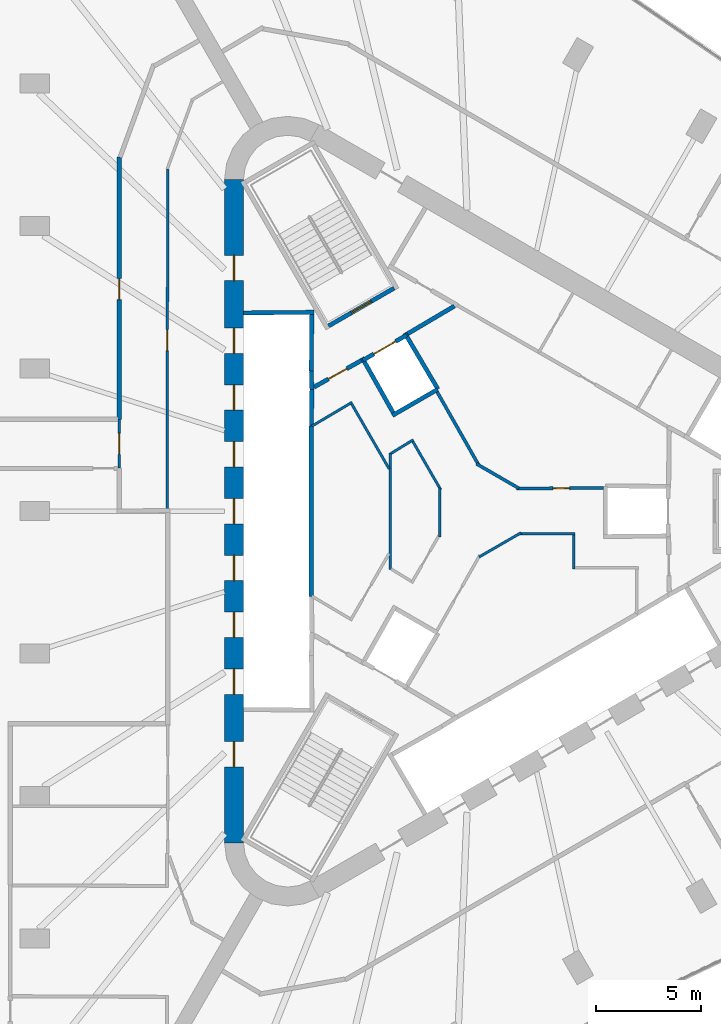
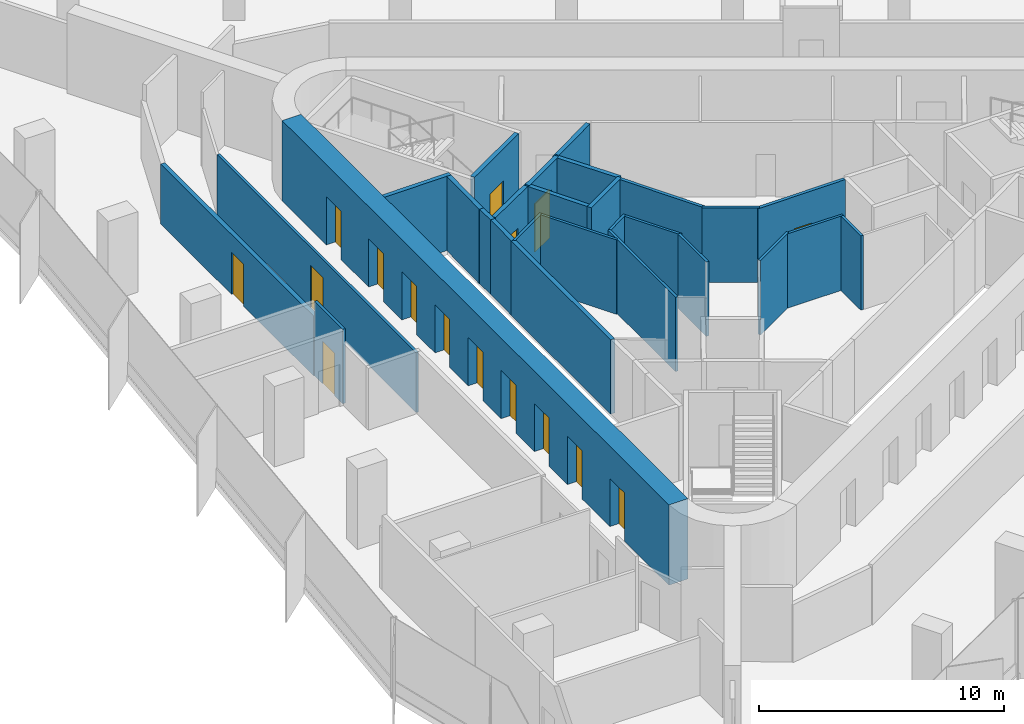
# One storey, part 10 of 13: 28 walls, 16 doors, 16 openings.
"""IFC4 building model written with IfcOpenShell, lengths in metres."""

from ifc_helpers import new_model, si_unit, direction, frame, frame_2d, origin, place, context, subcontext, project, spatial, rectangle, extrude, material, layer, layer_set, type_object, element, fill, save


model = new_model("IFC4")

# Units and contexts
model_context = context("Model", 3, precision=1e-05, world=origin(), true_north=direction((0.0, 1.0)))
body_context = subcontext(model_context, "Body", "Model", "MODEL_VIEW")
ifc_project = project(units=[si_unit("LENGTHUNIT", "METRE"), si_unit("AREAUNIT", "SQUARE_METRE"), si_unit("VOLUMEUNIT", "CUBIC_METRE"), si_unit("PLANEANGLEUNIT", "RADIAN"), si_unit("MASSUNIT", "GRAM", prefix="KILO")], contexts=[model_context])

# Site, building, storey
site_placement = place(None, origin())
site = spatial("IfcSite", under=ifc_project, at=site_placement, CompositionType="ELEMENT")
building_placement = place(site_placement, origin())
building = spatial("IfcBuilding", under=site, at=building_placement, Name="Tanit Gate Tower", CompositionType="ELEMENT")
storey_placement = place(building_placement, frame((0.0, 0.0, 265.199951171875)))
storey = spatial("IfcBuildingStorey", under=building, at=storey_placement, Name="L60", CompositionType="ELEMENT", Elevation=265.199951171875)

# Wall, openings, doors
ifc_material_1 = material(Name="Concrete C50/60", Category="concrete")
ifc_layer_1 = layer(ifc_material_1, 0.89990234375)
ifc_layer_set_1 = layer_set([ifc_layer_1], Name="CORE WALL 900 C50/60")
wall_type_1 = type_object("IfcWallType", Name="CORE WALL 900 C50/60", PredefinedType="SHEAR", material=ifc_layer_set_1)
wall_1_placement = place(storey_placement, frame((-11.64990234375, 15.76171875, 0.0), z_axis=(0.0, 0.0, 1.0), x_axis=(0.0, -1.0, 0.0)))
wall_1 = element("IfcWall", 1, at=wall_1_placement, inside=storey, type_object=wall_type_1, Name="CORE WALL", PredefinedType="SHEAR", context=body_context, shape_type="SweptSolid", body=[
    extrude(rectangle(XDim=31.5234375, YDim=0.89990234375, at=frame_2d((15.76171875, 0.0))), origin(), (0.0, 0.0, 1.0), 4.0),
])
opening_1_placement = place(wall_1_placement, frame((7.061767578125, 0.0, 0.0)))
opening_1 = element("IfcOpeningElement", 2, at=opening_1_placement, cuts=wall_1, Name="Opening LDML1-S17", PredefinedType="OPENING", context=body_context, shape_type="SweptSolid", body=[
    extrude(rectangle(XDim=1.199951171875, YDim=2.39990234375, at=frame_2d((0.60009765625, 1.199951171875))), frame((0.0, 0.4599609375, 0.0), z_axis=(0.0, -1.0, 0.0), x_axis=(1.0, 0.0, 0.0)), (0.0, 0.0, 1.0), 0.919921875),
])
opening_2_placement = place(wall_1_placement, frame((9.76171875, 0.0, 0.0)))
opening_2 = element("IfcOpeningElement", 3, at=opening_2_placement, cuts=wall_1, Name="Opening LDML2-S17", PredefinedType="OPENING", context=body_context, shape_type="SweptSolid", body=[
    extrude(rectangle(XDim=1.199951171875, YDim=2.39990234375, at=frame_2d((0.60009765625, 1.199951171875))), frame((0.0, 0.4599609375, 0.0), z_axis=(0.0, -1.0, 0.0), x_axis=(1.0, 0.0, 0.0)), (0.0, 0.0, 1.0), 0.919921875),
])
opening_3_placement = place(wall_1_placement, frame((12.461669921875, 0.0, 0.0)))
opening_3 = element("IfcOpeningElement", 4, at=opening_3_placement, cuts=wall_1, Name="Opening LDML3-S17", PredefinedType="OPENING", context=body_context, shape_type="SweptSolid", body=[
    extrude(rectangle(XDim=1.199951171875, YDim=2.39990234375, at=frame_2d((0.60009765625, 1.199951171875))), frame((0.0, 0.4599609375, 0.0), z_axis=(0.0, -1.0, 0.0), x_axis=(1.0, 0.0, 0.0)), (0.0, 0.0, 1.0), 0.919921875),
])
opening_4_placement = place(wall_1_placement, frame((15.16162109375, 0.0, 0.0)))
opening_4 = element("IfcOpeningElement", 5, at=opening_4_placement, cuts=wall_1, Name="Opening LDML4-S17", PredefinedType="OPENING", context=body_context, shape_type="SweptSolid", body=[
    extrude(rectangle(XDim=1.199951171875, YDim=2.39990234375, at=frame_2d((0.60009765625, 1.199951171875))), frame((0.0, 0.4599609375, 0.0), z_axis=(0.0, -1.0, 0.0), x_axis=(1.0, 0.0, 0.0)), (0.0, 0.0, 1.0), 0.919921875),
])
opening_5_placement = place(wall_1_placement, frame((17.86181640625, 0.0, 0.0)))
opening_5 = element("IfcOpeningElement", 6, at=opening_5_placement, cuts=wall_1, Name="Opening LDML5-S17", PredefinedType="OPENING", context=body_context, shape_type="SweptSolid", body=[
    extrude(rectangle(XDim=1.199951171875, YDim=2.39990234375, at=frame_2d((0.60009765625, 1.199951171875))), frame((0.0, 0.4599609375, 0.0), z_axis=(0.0, -1.0, 0.0), x_axis=(1.0, 0.0, 0.0)), (0.0, 0.0, 1.0), 0.919921875),
])
opening_6_placement = place(wall_1_placement, frame((20.561767578125, 0.0, 0.0)))
opening_6 = element("IfcOpeningElement", 7, at=opening_6_placement, cuts=wall_1, Name="Opening LDML6-S17", PredefinedType="OPENING", context=body_context, shape_type="SweptSolid", body=[
    extrude(rectangle(XDim=1.199951171875, YDim=2.39990234375, at=frame_2d((0.60009765625, 1.199951171875))), frame((0.0, 0.4599609375, 0.0), z_axis=(0.0, -1.0, 0.0), x_axis=(1.0, 0.0, 0.0)), (0.0, 0.0, 1.0), 0.919921875),
])
opening_7_placement = place(wall_1_placement, frame((23.26171875, 0.0, 0.0)))
opening_7 = element("IfcOpeningElement", 8, at=opening_7_placement, cuts=wall_1, Name="Opening LDML7-S17", PredefinedType="OPENING", context=body_context, shape_type="SweptSolid", body=[
    extrude(rectangle(XDim=1.199951171875, YDim=2.39990234375, at=frame_2d((0.60009765625, 1.199951171875))), frame((0.0, 0.4599609375, 0.0), z_axis=(0.0, -1.0, 0.0), x_axis=(1.0, 0.0, 0.0)), (0.0, 0.0, 1.0), 0.919921875),
])
opening_8_placement = place(wall_1_placement, frame((3.61181640625, 0.0, 0.0)))
opening_8 = element("IfcOpeningElement", 9, at=opening_8_placement, cuts=wall_1, Name="Opening F12-S17-FL2", PredefinedType="OPENING", context=body_context, shape_type="SweptSolid", body=[
    extrude(rectangle(XDim=1.199951171875, YDim=2.39990234375, at=frame_2d((0.60009765625, 1.199951171875))), frame((0.0, 0.4599609375, 0.0), z_axis=(0.0, -1.0, 0.0), x_axis=(1.0, 0.0, 0.0)), (0.0, 0.0, 1.0), 0.919921875),
])
opening_9_placement = place(wall_1_placement, frame((26.711669921875, 0.0, 0.0)))
opening_9 = element("IfcOpeningElement", 10, at=opening_9_placement, cuts=wall_1, Name="Opening F12-S17-S3", PredefinedType="OPENING", context=body_context, shape_type="SweptSolid", body=[
    extrude(rectangle(XDim=1.199951171875, YDim=2.39990234375, at=frame_2d((0.60009765625, 1.199951171875))), frame((0.0, 0.4599609375, 0.0), z_axis=(0.0, -1.0, 0.0), x_axis=(1.0, 0.0, 0.0)), (0.0, 0.0, 1.0), 0.919921875),
])
ifc_material_2 = material(Name="Fire-rated steel door leaf", Category="steel")
door_type_1 = type_object("IfcDoorType", Name="INT-DOOR-FIRE-LOBBY-1200", OperationType="NOTDEFINED", PredefinedType="USERDEFINED", material=ifc_material_2)
door_1_placement = place(opening_8_placement, origin())
door_1 = element("IfcDoor", 11, at=door_1_placement, inside=storey, type_object=door_type_1, Name="Door F12-S17-FL2", ObjectType="FIRE DOOR", OperationType="SINGLE_SWING_RIGHT", OverallHeight=2.39990234375, OverallWidth=1.199951171875, PredefinedType="USERDEFINED", context=body_context, shape_type="SweptSolid", body=[
    extrude(rectangle(XDim=1.199951171875, YDim=2.39990234375, at=frame_2d((0.60009765625, 1.199951171875))), frame((0.0, 0.02490234375, 0.0), z_axis=(0.0, -1.0, 0.0), x_axis=(1.0, 0.0, 0.0)), (0.0, 0.0, 1.0), 0.050048828125),
])
fill(opening_8, door_1)
door_2_placement = place(opening_9_placement, origin())
door_2 = element("IfcDoor", 12, at=door_2_placement, inside=storey, type_object=door_type_1, Name="Door F12-S17-S3", ObjectType="FIRE DOOR", OperationType="SINGLE_SWING_RIGHT", OverallHeight=2.39990234375, OverallWidth=1.199951171875, PredefinedType="USERDEFINED", context=body_context, shape_type="SweptSolid", body=[
    extrude(rectangle(XDim=1.199951171875, YDim=2.39990234375, at=frame_2d((0.60009765625, 1.199951171875))), frame((0.0, 0.02490234375, 0.0), z_axis=(0.0, -1.0, 0.0), x_axis=(1.0, 0.0, 0.0)), (0.0, 0.0, 1.0), 0.050048828125),
])
fill(opening_9, door_2)
ifc_material_3 = material(Name="Stainless steel sliding door leaf", Category="steel")
door_type_2 = type_object("IfcDoorType", Name="INT-DOOR-LANDING-1200", OperationType="NOTDEFINED", PredefinedType="USERDEFINED", material=ifc_material_3)
door_3_placement = place(opening_1_placement, origin())
door_3 = element("IfcDoor", 13, at=door_3_placement, inside=storey, type_object=door_type_2, Name="Door LDML1-S17", ObjectType="LANDING DOOR", OperationType="SLIDING_TO_LEFT", OverallHeight=2.39990234375, OverallWidth=1.199951171875, PredefinedType="USERDEFINED", context=body_context, shape_type="SweptSolid", body=[
    extrude(rectangle(XDim=1.199951171875, YDim=2.39990234375, at=frame_2d((0.60009765625, 1.199951171875))), frame((0.0, 0.02490234375, 0.0), z_axis=(0.0, -1.0, 0.0), x_axis=(1.0, 0.0, 0.0)), (0.0, 0.0, 1.0), 0.050048828125),
])
fill(opening_1, door_3)
door_4_placement = place(opening_2_placement, origin())
door_4 = element("IfcDoor", 14, at=door_4_placement, inside=storey, type_object=door_type_2, Name="Door LDML2-S17", ObjectType="LANDING DOOR", OperationType="SLIDING_TO_LEFT", OverallHeight=2.39990234375, OverallWidth=1.199951171875, PredefinedType="USERDEFINED", context=body_context, shape_type="SweptSolid", body=[
    extrude(rectangle(XDim=1.199951171875, YDim=2.39990234375, at=frame_2d((0.60009765625, 1.199951171875))), frame((0.0, 0.02490234375, 0.0), z_axis=(0.0, -1.0, 0.0), x_axis=(1.0, 0.0, 0.0)), (0.0, 0.0, 1.0), 0.050048828125),
])
fill(opening_2, door_4)
door_5_placement = place(opening_3_placement, origin())
door_5 = element("IfcDoor", 15, at=door_5_placement, inside=storey, type_object=door_type_2, Name="Door LDML3-S17", ObjectType="LANDING DOOR", OperationType="SLIDING_TO_LEFT", OverallHeight=2.39990234375, OverallWidth=1.199951171875, PredefinedType="USERDEFINED", context=body_context, shape_type="SweptSolid", body=[
    extrude(rectangle(XDim=1.199951171875, YDim=2.39990234375, at=frame_2d((0.60009765625, 1.199951171875))), frame((0.0, 0.02490234375, 0.0), z_axis=(0.0, -1.0, 0.0), x_axis=(1.0, 0.0, 0.0)), (0.0, 0.0, 1.0), 0.050048828125),
])
fill(opening_3, door_5)
door_6_placement = place(opening_4_placement, origin())
door_6 = element("IfcDoor", 16, at=door_6_placement, inside=storey, type_object=door_type_2, Name="Door LDML4-S17", ObjectType="LANDING DOOR", OperationType="SLIDING_TO_LEFT", OverallHeight=2.39990234375, OverallWidth=1.199951171875, PredefinedType="USERDEFINED", context=body_context, shape_type="SweptSolid", body=[
    extrude(rectangle(XDim=1.199951171875, YDim=2.39990234375, at=frame_2d((0.60009765625, 1.199951171875))), frame((0.0, 0.02490234375, 0.0), z_axis=(0.0, -1.0, 0.0), x_axis=(1.0, 0.0, 0.0)), (0.0, 0.0, 1.0), 0.050048828125),
])
fill(opening_4, door_6)
door_7_placement = place(opening_5_placement, origin())
door_7 = element("IfcDoor", 17, at=door_7_placement, inside=storey, type_object=door_type_2, Name="Door LDML5-S17", ObjectType="LANDING DOOR", OperationType="SLIDING_TO_LEFT", OverallHeight=2.39990234375, OverallWidth=1.199951171875, PredefinedType="USERDEFINED", context=body_context, shape_type="SweptSolid", body=[
    extrude(rectangle(XDim=1.199951171875, YDim=2.39990234375, at=frame_2d((0.60009765625, 1.199951171875))), frame((0.0, 0.02490234375, 0.0), z_axis=(0.0, -1.0, 0.0), x_axis=(1.0, 0.0, 0.0)), (0.0, 0.0, 1.0), 0.050048828125),
])
fill(opening_5, door_7)
door_8_placement = place(opening_6_placement, origin())
door_8 = element("IfcDoor", 18, at=door_8_placement, inside=storey, type_object=door_type_2, Name="Door LDML6-S17", ObjectType="LANDING DOOR", OperationType="SLIDING_TO_LEFT", OverallHeight=2.39990234375, OverallWidth=1.199951171875, PredefinedType="USERDEFINED", context=body_context, shape_type="SweptSolid", body=[
    extrude(rectangle(XDim=1.199951171875, YDim=2.39990234375, at=frame_2d((0.60009765625, 1.199951171875))), frame((0.0, 0.02490234375, 0.0), z_axis=(0.0, -1.0, 0.0), x_axis=(1.0, 0.0, 0.0)), (0.0, 0.0, 1.0), 0.050048828125),
])
fill(opening_6, door_8)
door_9_placement = place(opening_7_placement, origin())
door_9 = element("IfcDoor", 19, at=door_9_placement, inside=storey, type_object=door_type_2, Name="Door LDML7-S17", ObjectType="LANDING DOOR", OperationType="SLIDING_TO_LEFT", OverallHeight=2.39990234375, OverallWidth=1.199951171875, PredefinedType="USERDEFINED", context=body_context, shape_type="SweptSolid", body=[
    extrude(rectangle(XDim=1.199951171875, YDim=2.39990234375, at=frame_2d((0.60009765625, 1.199951171875))), frame((0.0, 0.02490234375, 0.0), z_axis=(0.0, -1.0, 0.0), x_axis=(1.0, 0.0, 0.0)), (0.0, 0.0, 1.0), 0.050048828125),
])
fill(opening_7, door_9)

# Wall
ifc_material_4 = material(Name="Fire-rated gypsum board partition")
ifc_layer_2 = layer(ifc_material_4, 0.199951171875)
ifc_layer_set_2 = layer_set([ifc_layer_2], Name="INT-WALL-COMPARTMENT")
wall_type_2 = type_object("IfcWallType", Name="INT-WALL-COMPARTMENT", PredefinedType="PARTITIONING", material=ifc_layer_set_2)
wall_2_placement = place(storey_placement, frame((-1.1787109375, 9.744873046875, 0.0), z_axis=(0.0, 0.0, 1.0), x_axis=(-0.860630814782, -0.509229418482, 0.0)))
element("IfcWall", 20, at=wall_2_placement, inside=storey, type_object=wall_type_2, Name="Wall Compartment W061", PredefinedType="PARTITIONING", context=body_context, shape_type="SweptSolid", body=[
    extrude(rectangle(XDim=2.581787109375, YDim=0.199951171875, at=frame_2d((1.291015625, 0.0))), origin(), (0.0, 0.0, 1.0), 3.699951171875),
])

# Wall, opening, door
wall_3_placement = place(storey_placement, frame((-5.600341796875, 7.16015625, 0.0), z_axis=(0.0, 0.0, 1.0), x_axis=(-0.871363259478, -0.490638431059, 0.0)))
wall_3 = element("IfcWall", 21, at=wall_3_placement, inside=storey, type_object=wall_type_2, Name="Wall Compartment W062", PredefinedType="PARTITIONING", context=body_context, shape_type="SweptSolid", body=[
    extrude(rectangle(XDim=2.5810546875, YDim=0.199951171875, at=frame_2d((1.29052734375, 0.0))), origin(), (0.0, 0.0, 1.0), 3.699951171875),
])
opening_10_placement = place(wall_3_placement, frame((0.79052734375, 0.0, 0.0)))
opening_10 = element("IfcOpeningElement", 22, at=opening_10_placement, cuts=wall_3, Name="Opening F10-S17-05", PredefinedType="OPENING", context=body_context, shape_type="SweptSolid", body=[
    extrude(rectangle(XDim=1.0, YDim=2.10009765625, at=frame_2d((0.5, 1.050048828125))), frame((0.0, 0.10986328125, 0.0), z_axis=(0.0, -1.0, 0.0), x_axis=(1.0, 0.0, 0.0)), (0.0, 0.0, 1.0), 0.219970703125),
])
ifc_material_5 = material(Name="Fire-rated steel door leaf", Category="steel")
door_type_3 = type_object("IfcDoorType", Name="INT-DOOR-FIRE-1000", OperationType="NOTDEFINED", PredefinedType="USERDEFINED", material=ifc_material_5)
door_10_placement = place(opening_10_placement, origin())
door_10 = element("IfcDoor", 23, at=door_10_placement, inside=storey, type_object=door_type_3, Name="Door F10-S17-05", ObjectType="FIRE DOOR", OperationType="SINGLE_SWING_LEFT", OverallHeight=2.10009765625, OverallWidth=1.0, PredefinedType="USERDEFINED", context=body_context, shape_type="SweptSolid", body=[
    extrude(rectangle(XDim=1.0, YDim=2.10009765625, at=frame_2d((0.5, 1.050048828125))), frame((0.0, 0.02490234375, 0.0), z_axis=(0.0, -1.0, 0.0), x_axis=(1.0, 0.0, 0.0)), (0.0, 0.0, 1.0), 0.050048828125),
])
fill(opening_10, door_10)

wall_4_placement = place(storey_placement, frame((-17.10009765625, 16.82275390625, 0.0), z_axis=(0.0, 0.0, 1.0), x_axis=(0.0, -1.0, 0.0)))
wall_4 = element("IfcWall", 24, at=wall_4_placement, inside=storey, type_object=wall_type_2, Name="Wall Compartment W090", PredefinedType="PARTITIONING", context=body_context, shape_type="SweptSolid", body=[
    extrude(rectangle(XDim=12.47265625, YDim=0.199951171875, at=frame_2d((6.236328125, 0.0))), origin(), (0.0, 0.0, 1.0), 2.97998046875),
])
opening_11_placement = place(wall_4_placement, frame((5.7763671875, 0.0, 0.0)))
opening_11 = element("IfcOpeningElement", 25, at=opening_11_placement, cuts=wall_4, Name="Opening F10-S17-28", PredefinedType="OPENING", context=body_context, shape_type="SweptSolid", body=[
    extrude(rectangle(XDim=1.0, YDim=2.10009765625, at=frame_2d((0.5, 1.050048828125))), frame((0.0, 0.10986328125, 0.0), z_axis=(0.0, -1.0, 0.0), x_axis=(1.0, 0.0, 0.0)), (0.0, 0.0, 1.0), 0.219970703125),
])
door_11_placement = place(opening_11_placement, origin())
door_11 = element("IfcDoor", 26, at=door_11_placement, inside=storey, type_object=door_type_3, Name="Door F10-S17-28", ObjectType="FIRE DOOR", OperationType="SINGLE_SWING_RIGHT", OverallHeight=2.10009765625, OverallWidth=1.0, PredefinedType="USERDEFINED", context=body_context, shape_type="SweptSolid", body=[
    extrude(rectangle(XDim=1.0, YDim=2.10009765625, at=frame_2d((0.5, 1.050048828125))), frame((0.0, 0.02490234375, 0.0), z_axis=(0.0, -1.0, 0.0), x_axis=(1.0, 0.0, 0.0)), (0.0, 0.0, 1.0), 0.050048828125),
])
fill(opening_11, door_11)

# Walls
ifc_material_6 = material(Name="Gypsum board partition")
ifc_layer_3 = layer(ifc_material_6, 0.1201171875)
ifc_layer_set_3 = layer_set([ifc_layer_3], Name="INT-WALL-PARTITION")
wall_type_3 = type_object("IfcWallType", Name="INT-WALL-PARTITION", PredefinedType="PARTITIONING", material=ifc_layer_set_3)
wall_5_placement = place(storey_placement, frame((1.995361328125, -1.02294921875, 0.0), z_axis=(0.0, 0.0, 1.0), x_axis=(-0.866043041921, -0.499969448606, 0.0)))
element("IfcWall", 27, at=wall_5_placement, inside=storey, type_object=wall_type_3, Name="Wall Partition W069", PredefinedType="PARTITIONING", context=body_context, shape_type="SweptSolid", body=[
    extrude(rectangle(XDim=2.310302734375, YDim=0.1201171875, at=frame_2d((1.1552734375, 0.0))), origin(), (0.0, 0.0, 1.0), 3.699951171875),
])
wall_6_placement = place(storey_placement, frame((4.56005859375, -1.074951171875, 0.0), z_axis=(0.0, 0.0, 1.0), x_axis=(-1.0, 0.0, 0.0)))
element("IfcWall", 28, at=wall_6_placement, inside=storey, type_object=wall_type_3, Name="Wall Partition W070", PredefinedType="PARTITIONING", context=body_context, shape_type="SweptSolid", body=[
    extrude(rectangle(XDim=2.63623046875, YDim=0.1201171875, at=frame_2d((1.318115234375, 0.0))), origin(), (0.0, 0.0, 1.0), 3.699951171875),
])
wall_7_placement = place(storey_placement, frame((4.5, -2.760009765625, 0.0), z_axis=(0.0, 0.0, 1.0), x_axis=(0.0, 1.0, 0.0)))
element("IfcWall", 29, at=wall_7_placement, inside=storey, type_object=wall_type_3, Name="Wall Partition W071", PredefinedType="PARTITIONING", context=body_context, shape_type="SweptSolid", body=[
    extrude(rectangle(XDim=1.625, YDim=0.1201171875, at=frame_2d((0.8125, 0.0))), origin(), (0.0, 0.0, 1.0), 3.699951171875),
])
wall_8_placement = place(storey_placement, frame((-4.21875, -2.760498046875, 0.0), z_axis=(0.0, 0.0, 1.0), x_axis=(0.0, 1.0, 0.0)))
element("IfcWall", 30, at=wall_8_placement, inside=storey, type_object=wall_type_3, Name="Wall Partition W074", PredefinedType="PARTITIONING", context=body_context, shape_type="SweptSolid", body=[
    extrude(rectangle(XDim=5.52099609375, YDim=0.1201171875, at=frame_2d((2.760498046875, 0.0))), origin(), (0.0, 0.0, 1.0), 3.699951171875),
])
wall_9_placement = place(storey_placement, frame((-6.03662109375, 5.17578125, 0.0), z_axis=(0.0, 0.0, 1.0), x_axis=(-0.860106072674, -0.510115225953, 0.0)))
element("IfcWall", 31, at=wall_9_placement, inside=storey, type_object=wall_type_3, Name="Wall Partition W077", PredefinedType="PARTITIONING", context=body_context, shape_type="SweptSolid", body=[
    extrude(rectangle(XDim=2.224609375, YDim=0.1201171875, at=frame_2d((1.1123046875, 0.0))), origin(), (0.0, 0.0, 1.0), 3.699951171875),
])
wall_10_placement = place(storey_placement, frame((-4.27880859375, 2.01123046875, 0.0), z_axis=(0.0, 0.0, 1.0), x_axis=(-0.500027278734, 0.866009653827, 0.0)))
element("IfcWall", 32, at=wall_10_placement, inside=storey, type_object=wall_type_3, Name="Wall Partition W078", PredefinedType="PARTITIONING", context=body_context, shape_type="SweptSolid", body=[
    extrude(rectangle(XDim=3.558837890625, YDim=0.1201171875, at=frame_2d((1.779296875, 0.0))), origin(), (0.0, 0.0, 1.0), 3.699951171875),
])
wall_11_placement = place(storey_placement, frame((-3.1298828125, 3.390869140625, 0.0), z_axis=(0.0, 0.0, 1.0), x_axis=(-0.853228335638, -0.521537541567, 0.0)))
element("IfcWall", 33, at=wall_11_placement, inside=storey, type_object=wall_type_3, Name="Wall Partition W079", PredefinedType="PARTITIONING", context=body_context, shape_type="SweptSolid", body=[
    extrude(rectangle(XDim=1.240966796875, YDim=0.1201171875, at=frame_2d((0.62060546875, 0.0))), origin(), (0.0, 0.0, 1.0), 3.699951171875),
])
wall_12_placement = place(storey_placement, frame((-1.83154296875, 1.0224609375, 0.0), z_axis=(0.0, 0.0, 1.0), x_axis=(-0.500000102728, 0.866025344474, 0.0)))
element("IfcWall", 34, at=wall_12_placement, inside=storey, type_object=wall_type_3, Name="Wall Partition W080", PredefinedType="PARTITIONING", context=body_context, shape_type="SweptSolid", body=[
    extrude(rectangle(XDim=2.638671875, YDim=0.1201171875, at=frame_2d((1.3193359375, 0.0))), origin(), (0.0, 0.0, 1.0), 3.699951171875),
])
wall_13_placement = place(storey_placement, frame((-1.883544921875, -1.21630859375, 0.0), z_axis=(0.0, 0.0, 1.0), x_axis=(0.0, 1.0, 0.0)))
element("IfcWall", 35, at=wall_13_placement, inside=storey, type_object=wall_type_3, Name="Wall Partition W081", PredefinedType="PARTITIONING", context=body_context, shape_type="SweptSolid", body=[
    extrude(rectangle(XDim=2.310302734375, YDim=0.1201171875, at=frame_2d((1.1552734375, 0.0))), origin(), (0.0, 0.0, 1.0), 3.699951171875),
])

# Wall, opening, door
wall_14_placement = place(storey_placement, frame((-14.800048828125, 16.257080078125, 0.0), z_axis=(0.0, 0.0, 1.0), x_axis=(-0.001847148781, -0.999998294019, 0.0)))
wall_14 = element("IfcWall", 36, at=wall_14_placement, inside=storey, type_object=wall_type_3, Name="Wall Partition W086", PredefinedType="PARTITIONING", context=body_context, shape_type="SweptSolid", body=[
    extrude(rectangle(XDim=16.257080078125, YDim=0.1201171875, at=frame_2d((8.12841796875, 0.0))), origin(), (0.0, 0.0, 1.0), 2.97998046875),
])
opening_12_placement = place(wall_14_placement, frame((7.628662109375, 0.0, 0.0)))
opening_12 = element("IfcOpeningElement", 37, at=opening_12_placement, cuts=wall_14, Name="Opening D10-S17-19", PredefinedType="OPENING", context=body_context, shape_type="SweptSolid", body=[
    extrude(rectangle(XDim=1.0, YDim=2.10009765625, at=frame_2d((0.5, 1.050048828125))), frame((0.0, 0.070068359375, 0.0), z_axis=(0.0, -1.0, 0.0), x_axis=(1.0, 0.0, 0.0)), (0.0, 0.0, 1.0), 0.14013671875),
])
ifc_material_7 = material(Name="Timber door leaf", Category="wood")
door_type_4 = type_object("IfcDoorType", Name="INT-DOOR-SINGLE-1000", OperationType="NOTDEFINED", PredefinedType="NOTDEFINED", material=ifc_material_7)
door_12_placement = place(opening_12_placement, origin())
door_12 = element("IfcDoor", 38, at=door_12_placement, inside=storey, type_object=door_type_4, Name="Door D10-S17-19", OperationType="SINGLE_SWING_RIGHT", OverallHeight=2.10009765625, OverallWidth=1.0, PredefinedType="NOTDEFINED", context=body_context, shape_type="SweptSolid", body=[
    extrude(rectangle(XDim=1.0, YDim=2.10009765625, at=frame_2d((0.5, 1.050048828125))), frame((0.0, 0.02490234375, 0.0), z_axis=(0.0, -1.0, 0.0), x_axis=(1.0, 0.0, 0.0)), (0.0, 0.0, 1.0), 0.050048828125),
])
fill(opening_12, door_12)

wall_15_placement = place(storey_placement, frame((-17.10009765625, 4.35009765625, 0.0), z_axis=(0.0, 0.0, 1.0), x_axis=(0.0, -1.0, 0.0)))
wall_15 = element("IfcWall", 39, at=wall_15_placement, inside=storey, type_object=wall_type_3, Name="Wall Partition W087", PredefinedType="PARTITIONING", context=body_context, shape_type="SweptSolid", body=[
    extrude(rectangle(XDim=2.300048828125, YDim=0.1201171875, at=frame_2d((1.14990234375, 0.0))), origin(), (0.0, 0.0, 1.0), 3.699951171875),
])
opening_13_placement = place(wall_15_placement, frame((0.64990234375, 0.0, 0.0)))
opening_13 = element("IfcOpeningElement", 40, at=opening_13_placement, cuts=wall_15, Name="Opening D10-S17-20", PredefinedType="OPENING", context=body_context, shape_type="SweptSolid", body=[
    extrude(rectangle(XDim=1.0, YDim=2.10009765625, at=frame_2d((0.5, 1.050048828125))), frame((0.0, 0.070068359375, 0.0), z_axis=(0.0, -1.0, 0.0), x_axis=(1.0, 0.0, 0.0)), (0.0, 0.0, 1.0), 0.14013671875),
])
door_13_placement = place(opening_13_placement, origin())
door_13 = element("IfcDoor", 41, at=door_13_placement, inside=storey, type_object=door_type_4, Name="Door D10-S17-20", OperationType="SINGLE_SWING_RIGHT", OverallHeight=2.10009765625, OverallWidth=1.0, PredefinedType="NOTDEFINED", context=body_context, shape_type="SweptSolid", body=[
    extrude(rectangle(XDim=1.0, YDim=2.10009765625, at=frame_2d((0.5, 1.050048828125))), frame((0.0, 0.02490234375, 0.0), z_axis=(0.0, -1.0, 0.0), x_axis=(1.0, 0.0, 0.0)), (0.0, 0.0, 1.0), 0.050048828125),
])
fill(opening_13, door_13)

ifc_material_8 = material(Name="Fire-rated gypsum board partition")
ifc_layer_4 = layer(ifc_material_8, 0.14990234375)
ifc_layer_set_4 = layer_set([ifc_layer_4], Name="INT-WALL-RISER")
wall_type_4 = type_object("IfcWallType", Name="INT-WALL-RISER", PredefinedType="PLUMBINGWALL", material=ifc_layer_set_4)
wall_16_placement = place(storey_placement, frame((1.777587890625, 1.073974609375, 0.0), z_axis=(0.0, 0.0, 1.0), x_axis=(0.999973898196, 0.007225159347, 0.0)))
wall_16 = element("IfcWall", 42, at=wall_16_placement, inside=storey, type_object=wall_type_4, Name="Wall Riser W065", PredefinedType="PLUMBINGWALL", context=body_context, shape_type="SweptSolid", body=[
    extrude(rectangle(XDim=4.122314453125, YDim=0.14990234375, at=frame_2d((2.06103515625, 0.0))), origin(), (0.0, 0.0, 1.0), 3.699951171875),
])
opening_14_placement = place(wall_16_placement, frame((1.72509765625, 0.0, 0.0)))
opening_14 = element("IfcOpeningElement", 43, at=opening_14_placement, cuts=wall_16, Name="Opening R08-S17-10", PredefinedType="OPENING", context=body_context, shape_type="SweptSolid", body=[
    extrude(rectangle(XDim=0.800048828125, YDim=2.10009765625, at=frame_2d((0.39990234375, 1.050048828125))), frame((0.0, 0.0849609375, 0.0), z_axis=(0.0, -1.0, 0.0), x_axis=(1.0, 0.0, 0.0)), (0.0, 0.0, 1.0), 0.169921875),
])
ifc_material_9 = material(Name="Timber door leaf", Category="wood")
door_type_5 = type_object("IfcDoorType", Name="INT-DOOR-RISER-800", OperationType="NOTDEFINED", PredefinedType="USERDEFINED", material=ifc_material_9)
door_14_placement = place(opening_14_placement, origin())
door_14 = element("IfcDoor", 44, at=door_14_placement, inside=storey, type_object=door_type_5, Name="Door R08-S17-10", ObjectType="FIRE DOOR", OperationType="SINGLE_SWING_LEFT", OverallHeight=2.10009765625, OverallWidth=0.800048828125, PredefinedType="USERDEFINED", context=body_context, shape_type="SweptSolid", body=[
    extrude(rectangle(XDim=0.800048828125, YDim=2.10009765625, at=frame_2d((0.39990234375, 1.050048828125))), frame((0.0, 0.02490234375, 0.0), z_axis=(0.0, -1.0, 0.0), x_axis=(1.0, 0.0, 0.0)), (0.0, 0.0, 1.0), 0.050048828125),
])
fill(opening_14, door_14)

# Walls
wall_17_placement = place(storey_placement, frame((-0.13232421875, 2.25146484375, 0.0), z_axis=(0.0, 0.0, 1.0), x_axis=(0.866028486751, -0.499994660107, 0.0)))
element("IfcWall", 45, at=wall_17_placement, inside=storey, type_object=wall_type_4, Name="Wall Riser W066", PredefinedType="PLUMBINGWALL", context=body_context, shape_type="SweptSolid", body=[
    extrude(rectangle(XDim=2.3291015625, YDim=0.14990234375, at=frame_2d((1.16455078125, 0.0))), origin(), (0.0, 0.0, 1.0), 3.699951171875),
])
wall_18_placement = place(storey_placement, frame((-1.994140625, 5.661376953125, 0.0), z_axis=(0.0, 0.0, 1.0), x_axis=(0.493780191404, -0.869586753911, 0.0)))
element("IfcWall", 46, at=wall_18_placement, inside=storey, type_object=wall_type_4, Name="Wall Riser W067", PredefinedType="PLUMBINGWALL", context=body_context, shape_type="SweptSolid", body=[
    extrude(rectangle(XDim=3.97119140625, YDim=0.14990234375, at=frame_2d((1.985595703125, 0.0))), origin(), (0.0, 0.0, 1.0), 3.699951171875),
])
ifc_material_10 = material(Name="Gypsum shaft wall system")
ifc_layer_5 = layer(ifc_material_10, 0.199951171875)
ifc_layer_set_5 = layer_set([ifc_layer_5], Name="INT-WALL-SHAFT")
wall_type_5 = type_object("IfcWallType", Name="INT-WALL-SHAFT", PredefinedType="PLUMBINGWALL", material=ifc_layer_set_5)
wall_19_placement = place(storey_placement, frame((-11.199951171875, 9.419921875, 0.0), z_axis=(0.0, 0.0, 1.0), x_axis=(0.999957167047, 0.009255488683, 0.0)))
element("IfcWall", 47, at=wall_19_placement, inside=storey, type_object=wall_type_5, Name="Wall Shaft W001", PredefinedType="PLUMBINGWALL", context=body_context, shape_type="SweptSolid", body=[
    extrude(rectangle(XDim=3.35009765625, YDim=0.199951171875, at=frame_2d((1.675048828125, 0.0))), origin(), (0.0, 0.0, 1.0), 3.699951171875),
])
wall_20_placement = place(storey_placement, frame((-7.951171875, 9.35009765625, 0.0), z_axis=(0.0, 0.0, 1.0), x_axis=(-0.011120469654, -0.999938165666, 0.0)))
element("IfcWall", 48, at=wall_20_placement, inside=storey, type_object=wall_type_5, Name="Wall Shaft W002", PredefinedType="PLUMBINGWALL", context=body_context, shape_type="SweptSolid", body=[
    extrude(rectangle(XDim=2.700439453125, YDim=0.199951171875, at=frame_2d((1.35009765625, 0.0))), origin(), (0.0, 0.0, 1.0), 3.699951171875),
])
wall_21_placement = place(storey_placement, frame((-7.97705078125, 6.650146484375, 0.0), z_axis=(0.0, 0.0, 1.0), x_axis=(0.030861509705, -0.999523670164, 0.0)))
element("IfcWall", 49, at=wall_21_placement, inside=storey, type_object=wall_type_5, Name="Wall Shaft W003", PredefinedType="PLUMBINGWALL", context=body_context, shape_type="SweptSolid", body=[
    extrude(rectangle(XDim=0.878173828125, YDim=0.199951171875, at=frame_2d((0.43896484375, 0.0))), origin(), (0.0, 0.0, 1.0), 3.699951171875),
])
wall_22_placement = place(storey_placement, frame((-7.94921875, 5.894775390625, 0.0), z_axis=(0.0, 0.0, 1.0), x_axis=(-0.012042535896, -0.999927486035, 0.0)))
element("IfcWall", 50, at=wall_22_placement, inside=storey, type_object=wall_type_5, Name="Wall Shaft W004", PredefinedType="PLUMBINGWALL", context=body_context, shape_type="SweptSolid", body=[
    extrude(rectangle(XDim=1.844970703125, YDim=0.199951171875, at=frame_2d((0.92236328125, 0.0))), origin(), (0.0, 0.0, 1.0), 3.699951171875),
])
wall_23_placement = place(storey_placement, frame((-7.97998046875, 4.050048828125, 0.0), z_axis=(0.0, 0.0, 1.0), x_axis=(0.0, -1.0, 0.0)))
element("IfcWall", 51, at=wall_23_placement, inside=storey, type_object=wall_type_5, Name="Wall Shaft W005", PredefinedType="PLUMBINGWALL", context=body_context, shape_type="SweptSolid", body=[
    extrude(rectangle(XDim=8.10009765625, YDim=0.199951171875, at=frame_2d((4.050048828125, 0.0))), origin(), (0.0, 0.0, 1.0), 3.699951171875),
])

# Wall, opening, door
wall_24_placement = place(storey_placement, frame((-5.524169921875, 7.168212890625, 0.0), z_axis=(0.0, 0.0, 1.0), x_axis=(0.866024647952, 0.500001309137, 0.0)))
wall_24 = element("IfcWall", 52, at=wall_24_placement, inside=storey, type_object=wall_type_5, Name="Wall Shaft W037", PredefinedType="PLUMBINGWALL", context=body_context, shape_type="SweptSolid", body=[
    extrude(rectangle(XDim=2.39990234375, YDim=0.199951171875, at=frame_2d((1.199951171875, 0.0))), origin(), (0.0, 0.0, 1.0), 3.699951171875),
])
opening_15_placement = place(wall_24_placement, frame((0.60009765625, 0.0, 0.0)))
opening_15 = element("IfcOpeningElement", 53, at=opening_15_placement, cuts=wall_24, Name="Opening LDFL2-L60", PredefinedType="OPENING", context=body_context, shape_type="SweptSolid", body=[
    extrude(rectangle(XDim=1.199951171875, YDim=2.39990234375, at=frame_2d((0.60009765625, 1.199951171875))), frame((0.0, 0.10986328125, 0.0), z_axis=(0.0, -1.0, 0.0), x_axis=(1.0, 0.0, 0.0)), (0.0, 0.0, 1.0), 0.219970703125),
])
door_15_placement = place(opening_15_placement, origin())
door_15 = element("IfcDoor", 54, at=door_15_placement, inside=storey, type_object=door_type_2, Name="Door LDFL2-L60", ObjectType="LANDING DOOR", OperationType="SLIDING_TO_LEFT", OverallHeight=2.39990234375, OverallWidth=1.199951171875, PredefinedType="USERDEFINED", context=body_context, shape_type="SweptSolid", body=[
    extrude(rectangle(XDim=1.199951171875, YDim=2.39990234375, at=frame_2d((0.60009765625, 1.199951171875))), frame((0.0, 0.02490234375, 0.0), z_axis=(0.0, -1.0, 0.0), x_axis=(1.0, 0.0, 0.0)), (0.0, 0.0, 1.0), 0.050048828125),
])
fill(opening_15, door_15)

# Walls
wall_25_placement = place(storey_placement, frame((-3.53759765625, 8.46533203125, 0.0), z_axis=(0.0, 0.0, 1.0), x_axis=(0.508647062354, -0.860975125052, 0.0)))
element("IfcWall", 55, at=wall_25_placement, inside=storey, type_object=wall_type_5, Name="Wall Shaft W038", PredefinedType="PLUMBINGWALL", context=body_context, shape_type="SweptSolid", body=[
    extrude(rectangle(XDim=3.10009765625, YDim=0.199951171875, at=frame_2d((1.550048828125, 0.0))), origin(), (0.0, 0.0, 1.0), 3.699951171875),
])
wall_26_placement = place(storey_placement, frame((-1.978515625, 5.785888671875, 0.0), z_axis=(0.0, 0.0, 1.0), x_axis=(-0.866016689309, -0.500015093611, 0.0)))
element("IfcWall", 56, at=wall_26_placement, inside=storey, type_object=wall_type_5, Name="Wall Shaft W039", PredefinedType="PLUMBINGWALL", context=body_context, shape_type="SweptSolid", body=[
    extrude(rectangle(XDim=2.4794921875, YDim=0.199951171875, at=frame_2d((1.23974609375, 0.0))), origin(), (0.0, 0.0, 1.0), 3.699951171875),
])
wall_27_placement = place(storey_placement, frame((-5.5625, 7.29638671875, 0.0), z_axis=(0.0, 0.0, 1.0), x_axis=(0.49134651263, -0.870964180966, 0.0)))
element("IfcWall", 57, at=wall_27_placement, inside=storey, type_object=wall_type_5, Name="Wall Shaft W040", PredefinedType="PLUMBINGWALL", context=body_context, shape_type="SweptSolid", body=[
    extrude(rectangle(XDim=3.000244140625, YDim=0.199951171875, at=frame_2d((1.5, 0.0))), origin(), (0.0, 0.0, 1.0), 3.699951171875),
])

# Wall, opening, door
ifc_material_11 = material(Name="Concrete C40/50", Category="concrete")
ifc_layer_6 = layer(ifc_material_11, 0.199951171875)
ifc_layer_set_6 = layer_set([ifc_layer_6], Name="INT-WALL-STAIR")
wall_type_6 = type_object("IfcWallType", Name="INT-WALL-STAIR", PredefinedType="SHEAR", material=ifc_layer_set_6)
wall_28_placement = place(storey_placement, frame((-7.158935546875, 8.799560546875, -0.300048828125), z_axis=(0.0, 0.0, 1.0), x_axis=(0.866047807691, 0.499961193289, 0.0)))
wall_28 = element("IfcWall", 58, at=wall_28_placement, inside=storey, type_object=wall_type_6, Name="Wall Stair W036", PredefinedType="SHEAR", context=body_context, shape_type="SweptSolid", body=[
    extrude(rectangle(XDim=3.599853515625, YDim=0.199951171875, at=frame_2d((1.7998046875, 0.0))), origin(), (0.0, 0.0, 1.0), 4.0),
])
opening_16_placement = place(wall_28_placement, frame((1.25, 0.0, 0.300048828125)))
opening_16 = element("IfcOpeningElement", 59, at=opening_16_placement, cuts=wall_28, Name="Opening S11-S17-04", PredefinedType="OPENING", context=body_context, shape_type="SweptSolid", body=[
    extrude(rectangle(XDim=1.10009765625, YDim=2.10009765625, at=frame_2d((0.550048828125, 1.050048828125))), frame((0.0, 0.10986328125, 0.0), z_axis=(0.0, -1.0, 0.0), x_axis=(1.0, 0.0, 0.0)), (0.0, 0.0, 1.0), 0.219970703125),
])
ifc_material_12 = material(Name="Timber door leaf", Category="wood")
door_type_6 = type_object("IfcDoorType", Name="INT-DOOR-STAIR-1100", OperationType="NOTDEFINED", PredefinedType="USERDEFINED", material=ifc_material_12)
door_16_placement = place(opening_16_placement, origin())
door_16 = element("IfcDoor", 60, at=door_16_placement, inside=storey, type_object=door_type_6, Name="Door S11-S17-04", ObjectType="FIRE DOOR", OperationType="SINGLE_SWING_RIGHT", OverallHeight=2.10009765625, OverallWidth=1.10009765625, PredefinedType="USERDEFINED", context=body_context, shape_type="SweptSolid", body=[
    extrude(rectangle(XDim=1.10009765625, YDim=2.10009765625, at=frame_2d((0.550048828125, 1.050048828125))), frame((0.0, 0.02490234375, 0.0), z_axis=(0.0, -1.0, 0.0), x_axis=(1.0, 0.0, 0.0)), (0.0, 0.0, 1.0), 0.050048828125),
])
fill(opening_16, door_16)

save(model, "model.ifc")
